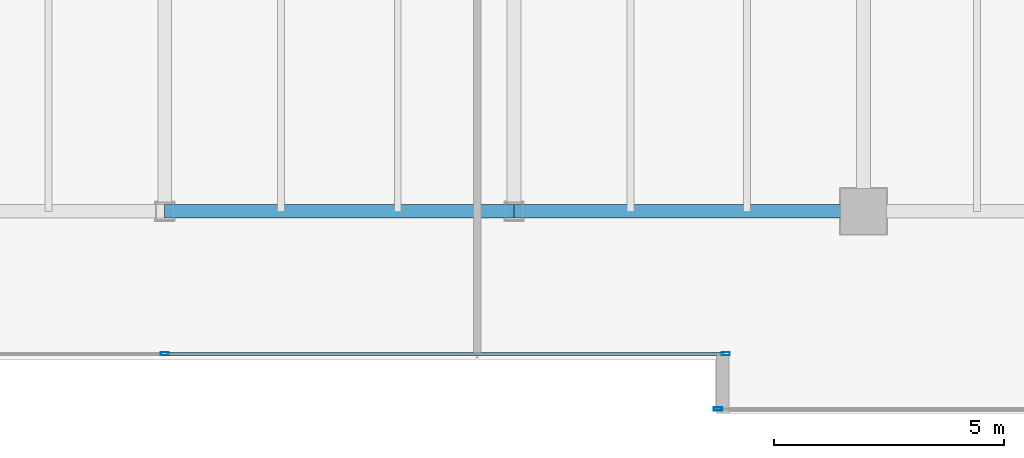
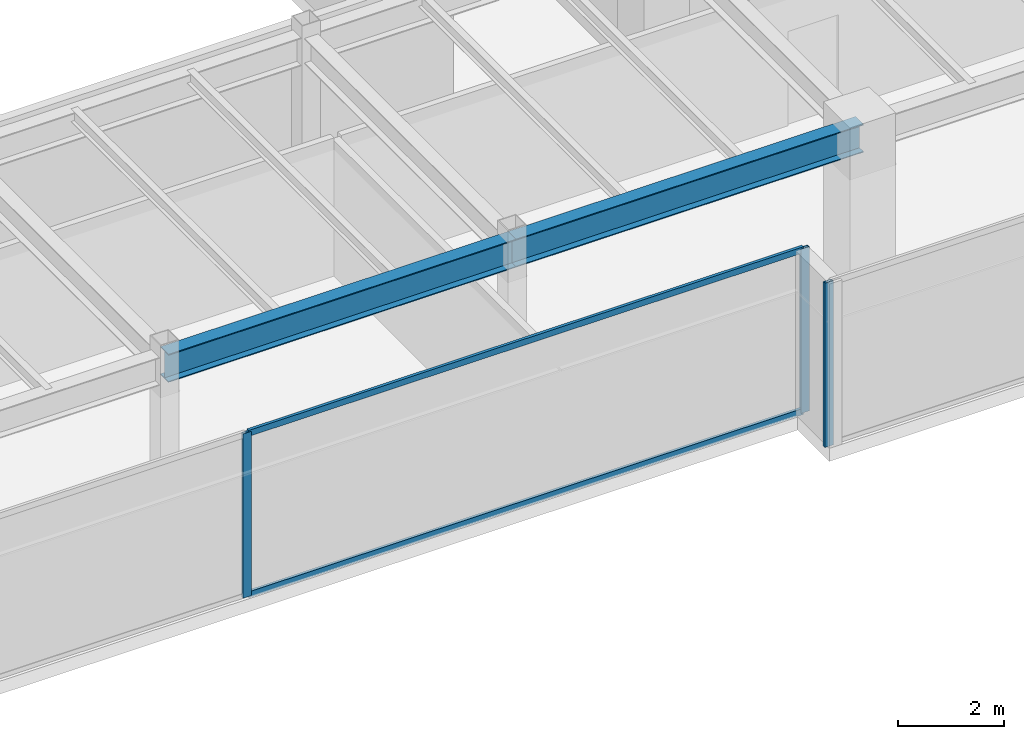
# One storey, part 11 of 35: 5 members, 2 beams, 2 elements without a shape of their own.
"""IFC4 building model written with IfcOpenShell, lengths in metres."""

import ifcopenshell
import ifcopenshell.guid

model = None  # the IFC model being written
_history = None  # IfcOwnerHistory: only IFC2X3 demands one
_inside = {}  # id of a spatial element -> (the spatial element, [elements in it])
_under = {}  # id of a project, library or spatial element -> (it, [spatial elements below it])
_declared = {}  # id of a project -> (the project, [libraries it declares])
_typed = {}  # id of a type object -> (the type object, [elements of that type])
_made_of = {}  # id of a material, layer set ... -> (it, [elements and type objects made of it])


def new_model(schema):
    """Start an empty IFC model of exactly this schema.

    Asked for "IFC4X3", IfcOpenShell would pick the latest addendum, in which some entities
    have other attributes; the version numbers below select the first issue.
    IFC2X3 requires an IfcOwnerHistory on every rooted entity: one is made here for all.
    """
    global model, _history
    if schema == "IFC4X3":
        model = ifcopenshell.file(schema_version=(4, 3, 0, 0))
    else:
        model = ifcopenshell.file(schema=schema)
    _inside.clear()
    _under.clear()
    _declared.clear()
    _typed.clear()
    _made_of.clear()
    _history = None
    if model.schema == "IFC2X3":
        org = make("IfcOrganization", Name="unknown")
        user = make(
            "IfcPersonAndOrganization",
            ThePerson=make("IfcPerson", FamilyName="unknown"),
            TheOrganization=org,
        )
        app = make(
            "IfcApplication",
            ApplicationDeveloper=org,
            Version="unknown",
            ApplicationFullName="unknown",
            ApplicationIdentifier="unknown",
        )
        _history = make(
            "IfcOwnerHistory",
            OwningUser=user,
            OwningApplication=app,
            ChangeAction="ADDED",
            CreationDate=0,
        )
    return model


def make(cls, **values):
    """One entity of the class cls with the attributes given. An attribute that is None is left unset."""
    return model.create_entity(
        cls, **{name: value for name, value in values.items() if value is not None}
    )


def rooted(cls, **values):
    """An entity with a GlobalId (a new one), such as an element, a storey or a relation."""
    return make(cls, GlobalId=ifcopenshell.guid.new(), OwnerHistory=_history, **values)


def si_unit(unit_type, name, prefix=None):
    """IfcSIUnit, for example si_unit("LENGTHUNIT", "METRE", prefix="MILLI")."""
    return make("IfcSIUnit", UnitType=unit_type, Prefix=prefix, Name=name)


def assignment(units):
    """IfcUnitAssignment: the units of a project."""
    return None if units is None else make("IfcUnitAssignment", Units=units)


def point(xyz):
    """IfcCartesianPoint."""
    return None if xyz is None else make("IfcCartesianPoint", Coordinates=xyz)


def direction(xyz):
    """IfcDirection."""
    return None if xyz is None else make("IfcDirection", DirectionRatios=xyz)


def frame(location, z_axis=None, x_axis=None):
    """IfcAxis2Placement3D, a coordinate frame: its origin and axes. An axis left out is left unset."""
    return make(
        "IfcAxis2Placement3D",
        Location=point(location),
        Axis=direction(z_axis),
        RefDirection=direction(x_axis),
    )


def frame_2d(location, x_axis=None):
    """IfcAxis2Placement2D, a coordinate frame in the plane: its origin and x axis."""
    return make(
        "IfcAxis2Placement2D", Location=point(location), RefDirection=direction(x_axis)
    )


def origin():
    """The frame at (0, 0, 0) with its axes left unset."""
    return frame((0.0, 0.0, 0.0))


def origin_2d():
    """The frame at (0, 0) in the plane with its x axis left unset."""
    return frame_2d((0.0, 0.0))


def place(relative_to, where):
    """IfcLocalPlacement: puts the frame where relative to a parent placement (None: the world)."""
    return make(
        "IfcLocalPlacement", PlacementRelTo=relative_to, RelativePlacement=where
    )


def context(
    kind, dimensions, precision=None, world=None, true_north=None, identifier=None
):
    """IfcGeometricRepresentationContext, for example the 3D "Model" context."""
    return make(
        "IfcGeometricRepresentationContext",
        ContextIdentifier=identifier,
        ContextType=kind,
        CoordinateSpaceDimension=dimensions,
        Precision=precision,
        WorldCoordinateSystem=world,
        TrueNorth=true_north,
    )


def subcontext(parent, identifier, kind, view, scale=None):
    """IfcGeometricRepresentationSubContext, for example "Body" below "Model"."""
    return make(
        "IfcGeometricRepresentationSubContext",
        ContextIdentifier=identifier,
        ContextType=kind,
        ParentContext=parent,
        TargetScale=scale,
        TargetView=view,
    )


def project(units=None, contexts=None):
    """IfcProject with its units and contexts."""
    return rooted(
        "IfcProject",
        Name="project",
        RepresentationContexts=contexts,
        UnitsInContext=assignment(units),
    )


def spatial(cls, under=None, at=None, **own):
    """A site, building, storey or space (cls), placed at a placement, below another one or the project."""
    s = rooted(cls, ObjectPlacement=at, **own)
    if under is not None:
        _under.setdefault(under.id(), (under, []))[1].append(s)
    return s


def profile(cls, at=None, kind="AREA", **sizes):
    """A parametric profile (cls). Its sizes go by their IFC names, for example OverallWidth=200.0."""
    return make(cls, ProfileType=kind, Position=at, **sizes)


def hollow_rectangle(**sizes):
    """IfcRectangleHollowProfileDef."""
    return profile("IfcRectangleHollowProfileDef", **sizes)


def i_section(**sizes):
    """IfcIShapeProfileDef."""
    return profile("IfcIShapeProfileDef", **sizes)


def extrude(swept, where, along, depth):
    """IfcExtrudedAreaSolid: the profile swept, set in the frame where, extruded along a direction by depth."""
    return make(
        "IfcExtrudedAreaSolid",
        SweptArea=swept,
        Position=where,
        ExtrudedDirection=direction(along),
        Depth=depth,
    )


def shape(context_of_items, identifier, shape_type, items):
    """IfcShapeRepresentation: the items that make up one representation, for example the "Body"."""
    return make(
        "IfcShapeRepresentation",
        ContextOfItems=context_of_items,
        RepresentationIdentifier=identifier,
        RepresentationType=shape_type,
        Items=items,
    )


def source(mapping_origin, context_of_items, identifier, shape_type, items):
    """IfcRepresentationMap: a shape defined once, which mapped items show again and again."""
    return make(
        "IfcRepresentationMap",
        MappingOrigin=mapping_origin,
        MappedRepresentation=shape(context_of_items, identifier, shape_type, items),
    )


def transform(
    local_origin,
    x_axis=None,
    y_axis=None,
    z_axis=None,
    scale=None,
    scale2=None,
    scale3=None,
    uniform=True,
):
    """IfcCartesianTransformationOperator3D, or its non-uniform kind. x_axis, y_axis, z_axis: its Axis1, 2, 3."""
    if uniform:
        return make(
            "IfcCartesianTransformationOperator3D",
            Axis1=direction(x_axis),
            Axis2=direction(y_axis),
            LocalOrigin=point(local_origin),
            Scale=scale,
            Axis3=direction(z_axis),
        )
    return make(
        "IfcCartesianTransformationOperator3DnonUniform",
        Axis1=direction(x_axis),
        Axis2=direction(y_axis),
        LocalOrigin=point(local_origin),
        Scale=scale,
        Axis3=direction(z_axis),
        Scale2=scale2,
        Scale3=scale3,
    )


def mapped(mapping_source, mapping_target):
    """IfcMappedItem: shows the shape of a source again, moved by a transform."""
    return make(
        "IfcMappedItem", MappingSource=mapping_source, MappingTarget=mapping_target
    )


def material(Name=None, Category=None):
    """IfcMaterial."""
    return make("IfcMaterial", Name=Name, Category=Category)


def layer(
    of_material, thickness, ventilated=None, Name=None, Category=None, Priority=None
):
    """IfcMaterialLayer: one layer of a wall or slab, of a material (None: an air gap)."""
    return make(
        "IfcMaterialLayer",
        Material=of_material,
        LayerThickness=thickness,
        IsVentilated=ventilated,
        Name=Name,
        Category=Category,
        Priority=Priority,
    )


def layer_set(layers, Name=None):
    """IfcMaterialLayerSet."""
    return make("IfcMaterialLayerSet", MaterialLayers=layers, LayerSetName=Name)


def material_profile(
    of_material, cross_section, Name=None, Category=None, Priority=None
):
    """IfcMaterialProfile: a cross section and its material."""
    return make(
        "IfcMaterialProfile",
        Name=Name,
        Material=of_material,
        Profile=cross_section,
        Priority=Priority,
        Category=Category,
    )


def profile_set(profiles, Name=None, composite=None):
    """IfcMaterialProfileSet."""
    return make(
        "IfcMaterialProfileSet",
        Name=Name,
        MaterialProfiles=profiles,
        CompositeProfile=composite,
    )


def made_of(thing, what):
    """Note that an element or type object is made of a material, layer set ...; save() writes the relation."""
    if what is not None:
        _made_of.setdefault(what.id(), (what, []))[1].append(thing)
    return thing


def type_object(cls, material=None, **own):
    """A type object (cls), such as IfcWallType, which elements share."""
    return made_of(rooted(cls, **own), material)


def type_shapes(of_type, sources):
    """Give a type object the sources (RepresentationMaps) that its elements show as mapped items."""
    of_type.RepresentationMaps = sources


def element(
    cls,
    number,
    at=None,
    inside=None,
    cuts=None,
    type_object=None,
    material=None,
    context=None,
    identifier="Body",
    shape_type=None,
    held_by="IfcProductDefinitionShape",
    body=None,
    shapes=None,
    **own,
):
    """One element of the class cls, such as IfcWall. Its Tag is "e" and its number.

    at: its placement. inside: the storey or other place that contains it. cuts: it is an
    opening in that element (IfcRelVoidsElement). A single representation is given by context,
    identifier, shape_type and body (its items); several are given by shapes. held_by: the class
    of the entity that holds the representations. save() writes the other relations.
    """
    e = rooted(cls, Tag="e%d" % number, ObjectPlacement=at, **own)
    if body is not None:
        shapes = [shape(context, identifier, shape_type, body)]
    if shapes is not None:
        e.Representation = make(held_by, Representations=shapes)
    if inside is not None:
        _inside.setdefault(inside.id(), (inside, []))[1].append(e)
    if cuts is not None:
        rooted(
            "IfcRelVoidsElement", RelatingBuildingElement=cuts, RelatedOpeningElement=e
        )
    if type_object is not None:
        _typed.setdefault(type_object.id(), (type_object, []))[1].append(e)
    return made_of(e, material)


def aggregate(whole, parts):
    """IfcRelAggregates: a whole, such as a stair, and the parts it consists of."""
    return rooted("IfcRelAggregates", RelatingObject=whole, RelatedObjects=parts)


def save(model, path):
    """Write the relations noted so far, then the file.

    IfcRelAggregates (storeys below a building ...), IfcRelContainedInSpatialStructure (elements
    in a storey), IfcRelDefinesByType, IfcRelAssociatesMaterial and IfcRelDeclares: one each for
    every whole, place, type object, material and project.
    """
    for whole, parts in _under.values():
        aggregate(whole, parts)
    for where, things in _inside.values():
        rooted(
            "IfcRelContainedInSpatialStructure",
            RelatedElements=things,
            RelatingStructure=where,
        )
    for kind, things in _typed.values():
        rooted("IfcRelDefinesByType", RelatedObjects=things, RelatingType=kind)
    for what, things in _made_of.values():
        rooted("IfcRelAssociatesMaterial", RelatedObjects=things, RelatingMaterial=what)
    for by, libraries in _declared.values():
        rooted("IfcRelDeclares", RelatingContext=by, RelatedDefinitions=libraries)
    model.write(path)


model = new_model("IFC4")

# Units and contexts
model_context = context("Model", 3, precision=1e-05, world=origin(), true_north=direction((0.0, 1.0)))
body_context = subcontext(model_context, "Body", "Model", "MODEL_VIEW")
ifc_project = project(units=[si_unit("LENGTHUNIT", "METRE"), si_unit("AREAUNIT", "SQUARE_METRE"), si_unit("VOLUMEUNIT", "CUBIC_METRE"), si_unit("PLANEANGLEUNIT", "RADIAN"), si_unit("MASSUNIT", "GRAM", prefix="KILO")], contexts=[model_context])

# Site, building, storey
site_placement = place(None, origin())
site = spatial("IfcSite", under=ifc_project, at=site_placement, CompositionType="ELEMENT")
building_placement = place(site_placement, origin())
building = spatial("IfcBuilding", under=site, at=building_placement, Name="Haelvirn Gate Laboratories", CompositionType="ELEMENT")
storey_placement = place(building_placement, frame((0.0, 0.0, 234.199951171875)))
storey = spatial("IfcBuildingStorey", under=building, at=storey_placement, Name="L56", CompositionType="ELEMENT", Elevation=234.199951171875)

# Beams
ifc_material_1 = material(Name="Steel SM355", Category="steel")
ifc_material_profile_1 = material_profile(ifc_material_1, i_section(OverallWidth=0.300048828125, OverallDepth=0.64990234375, WebThickness=0.012939453125, FlangeThickness=0.02197265625, at=origin_2d()), Name="H-650x300x13x22")
ifc_profile_set_1 = profile_set([ifc_material_profile_1], Name="Steel SM355")
beam_type = type_object("IfcBeamType", Name="BM-G-650", PredefinedType="BEAM", material=ifc_profile_set_1)
shared_shape_1 = source(origin(), body_context, "Body", "SweptSolid", [
    extrude(i_section(OverallWidth=0.300048828125, OverallDepth=0.64990234375, WebThickness=0.012939453125, FlangeThickness=0.02197265625, at=origin_2d()), origin(), (0.0, 0.0, 1.0), 7.60009765625),
])
type_shapes(beam_type, [shared_shape_1])
for number, where, z_axis, x_axis, name in (
    (1, (37.39990234375, 7.0, 3.47509765625), (1.0, 0.0, 0.0), (0.0, 1.0, 0.0), "L56 Primary Girder Y7.0 (37.4-45.0)"),
    (2, (45.0, 7.0, 3.47509765625), (1.0, 0.0, 0.0), (0.0, 1.0, 0.0), "L56 Primary Girder Y7.0 (45.0-52.6)"),
):
    element("IfcBeam", number, at=place(storey_placement, frame(where, z_axis=z_axis, x_axis=x_axis)), inside=storey, type_object=beam_type, Name=name, PredefinedType="BEAM", context=body_context, shape_type="MappedRepresentation", body=[
        mapped(shared_shape_1, transform((0.0, 0.0, 0.0), scale=1.0)),
    ])

# Curtain wall, members
ifc_material_2 = material(Name="Anodised bronze unitised aluminium & triple low-E glass", Category="aluminium")
ifc_layer = layer(ifc_material_2, 0.176025390625, Name="CW-SYS-4")
ifc_layer_set = layer_set([ifc_layer], Name="Anodised bronze unitised aluminium & triple low-E glass")
curtain_wall_type = type_object("IfcCurtainWallType", Name="CW-SYS-4", PredefinedType="NOTDEFINED", material=ifc_layer_set)
curtain_wall_1_placement = place(storey_placement, origin())
curtain_wall_1 = element("IfcCurtainWall", 3, at=curtain_wall_1_placement, inside=storey, type_object=curtain_wall_type, Name="L56 Unitised Curtain Wall CW-L56-P0-E02-1", PredefinedType="NOTDEFINED")
ifc_material_3 = material(Name="Extruded aluminium 6063-T6 (anodised bronze)", Category="aluminium")
ifc_material_profile_2 = material_profile(ifc_material_3, hollow_rectangle(XDim=0.06494140625, YDim=0.139892578125, WallThickness=0.00390625, at=origin_2d()), Name="CWT-140x65x4")
ifc_profile_set_2 = profile_set([ifc_material_profile_2], Name="Extruded aluminium 6063-T6 (anodised bronze)")
member_type_1 = type_object("IfcMemberType", Name="CWT-T140", PredefinedType="USERDEFINED", material=ifc_profile_set_2)
shared_shape_2 = source(origin(), body_context, "Body", "SweptSolid", [
    extrude(hollow_rectangle(XDim=0.06494140625, YDim=0.139892578125, WallThickness=0.00390625, at=origin_2d()), origin(), (0.0, 0.0, 1.0), 12.135009765625),
])
type_shapes(member_type_1, [shared_shape_2])
member_1_placement = place(storey_placement, frame((37.43505859375, 3.89990234375, 0.032470703125), z_axis=(1.0, 0.0, 0.0), x_axis=(0.0, 1.0, 0.0)))
member_1 = element("IfcMember", 4, at=member_1_placement, type_object=member_type_1, Name="CW4 transom 2.1", ObjectType="TRANSOM", PredefinedType="USERDEFINED", context=body_context, shape_type="MappedRepresentation", body=[
    mapped(shared_shape_2, transform((0.0, 0.0, 0.0), scale=1.0)),
])
member_2_placement = place(storey_placement, frame((37.43505859375, 3.89990234375, 3.767578125), z_axis=(1.0, 0.0, 0.0), x_axis=(0.0, 1.0, 0.0)))
member_2 = element("IfcMember", 5, at=member_2_placement, type_object=member_type_1, Name="CW4 transom 2.2", ObjectType="TRANSOM", PredefinedType="USERDEFINED", context=body_context, shape_type="MappedRepresentation", body=[
    mapped(shared_shape_2, transform((0.0, 0.0, 0.0), scale=1.0)),
])
ifc_material_profile_3 = material_profile(ifc_material_3, hollow_rectangle(XDim=0.070068359375, YDim=0.179931640625, WallThickness=0.0048828125, at=origin_2d()), Name="CWM-180x70x5")
ifc_profile_set_3 = profile_set([ifc_material_profile_3], Name="Extruded aluminium 6063-T6 (anodised bronze)")
member_type_2 = type_object("IfcMemberType", Name="CWM-T180", PredefinedType="MULLION", material=ifc_profile_set_3)
shared_shape_3 = source(origin(), body_context, "Body", "SweptSolid", [
    extrude(hollow_rectangle(XDim=0.070068359375, YDim=0.179931640625, WallThickness=0.0048828125, at=origin_2d()), origin(), (0.0, 0.0, 1.0), 3.800048828125),
])
type_shapes(member_type_2, [shared_shape_3])
member_3_placement = place(storey_placement, frame((37.39990234375, 3.89990234375, 0.0), z_axis=(0.0, 0.0, 1.0), x_axis=(0.0, 1.0, 0.0)))
member_3 = element("IfcMember", 6, at=member_3_placement, type_object=member_type_2, Name="CW4 mullion 2", PredefinedType="MULLION", context=body_context, shape_type="MappedRepresentation", body=[
    mapped(shared_shape_3, transform((0.0, 0.0, 0.0), scale=1.0)),
])
member_4_placement = place(storey_placement, frame((49.60498046875, 3.89990234375, 0.0), z_axis=(0.0, 0.0, 1.0), x_axis=(0.0, 1.0, 0.0)))
member_4 = element("IfcMember", 7, at=member_4_placement, type_object=member_type_2, Name="CW4 mullion 3", PredefinedType="MULLION", context=body_context, shape_type="MappedRepresentation", body=[
    mapped(shared_shape_3, transform((0.0, 0.0, 0.0), scale=1.0)),
])
aggregate(curtain_wall_1, [member_3, member_4, member_1, member_2])

# Curtain wall, member
curtain_wall_2_placement = place(storey_placement, origin())
curtain_wall_2 = element("IfcCurtainWall", 8, at=curtain_wall_2_placement, inside=storey, type_object=curtain_wall_type, Name="L56 Unitised Curtain Wall CW-L56-P0-E04-1", PredefinedType="NOTDEFINED")
member_5_placement = place(storey_placement, frame((49.43505859375, 2.699951171875, 0.0), z_axis=(0.0, 0.0, 1.0), x_axis=(0.0, 1.0, 0.0)))
member_5 = element("IfcMember", 9, at=member_5_placement, type_object=member_type_2, Name="CW4 mullion 1", PredefinedType="MULLION", context=body_context, shape_type="MappedRepresentation", body=[
    mapped(shared_shape_3, transform((0.0, 0.0, 0.0), scale=1.0)),
])
aggregate(curtain_wall_2, [member_5])

save(model, "model.ifc")
